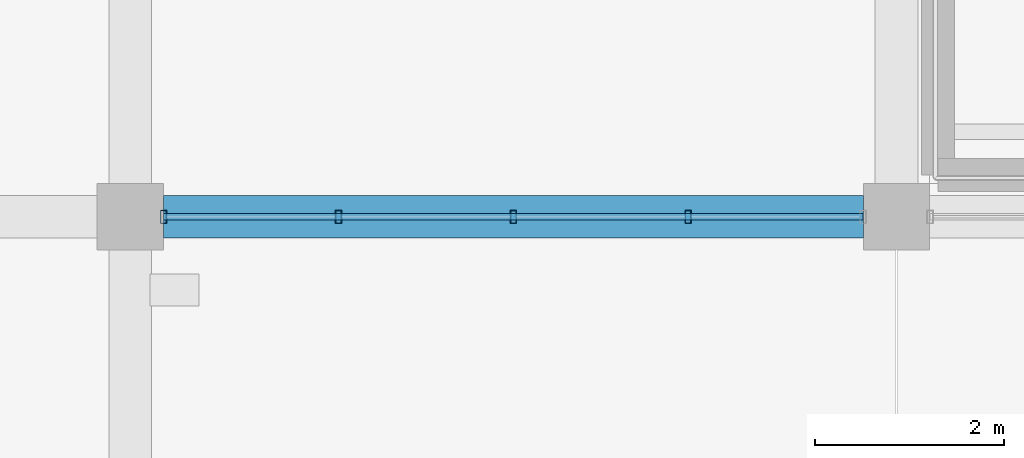
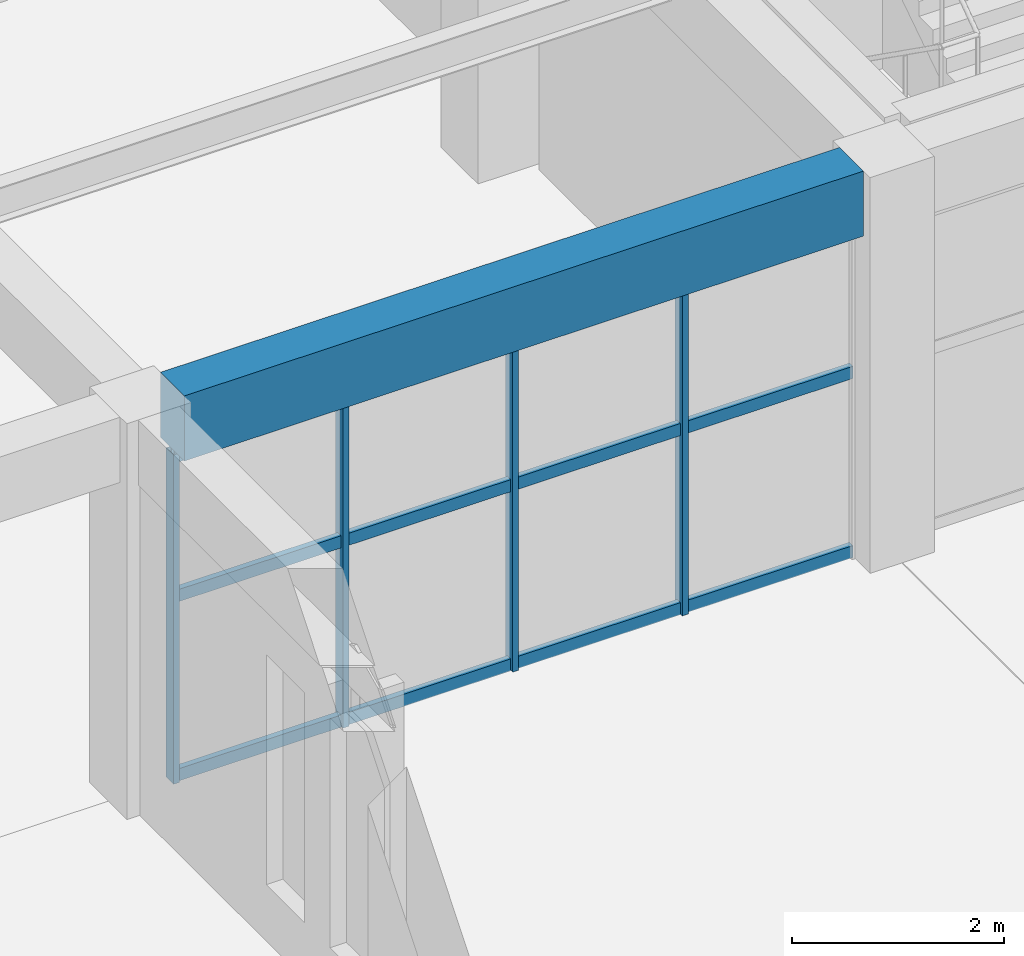
# One storey, part 4 of 161: 7 members, 1 beam, 1 element without a shape of its own.
"""IFC4 building model written with IfcOpenShell, lengths in metres."""

import ifcopenshell
import ifcopenshell.guid

model = None  # the IFC model being written
_history = None  # IfcOwnerHistory: only IFC2X3 demands one
_inside = {}  # id of a spatial element -> (the spatial element, [elements in it])
_under = {}  # id of a project, library or spatial element -> (it, [spatial elements below it])
_declared = {}  # id of a project -> (the project, [libraries it declares])
_typed = {}  # id of a type object -> (the type object, [elements of that type])
_made_of = {}  # id of a material, layer set ... -> (it, [elements and type objects made of it])


def new_model(schema):
    """Start an empty IFC model of exactly this schema.

    Asked for "IFC4X3", IfcOpenShell would pick the latest addendum, in which some entities
    have other attributes; the version numbers below select the first issue.
    IFC2X3 requires an IfcOwnerHistory on every rooted entity: one is made here for all.
    """
    global model, _history
    if schema == "IFC4X3":
        model = ifcopenshell.file(schema_version=(4, 3, 0, 0))
    else:
        model = ifcopenshell.file(schema=schema)
    _inside.clear()
    _under.clear()
    _declared.clear()
    _typed.clear()
    _made_of.clear()
    _history = None
    if model.schema == "IFC2X3":
        org = make("IfcOrganization", Name="unknown")
        user = make(
            "IfcPersonAndOrganization",
            ThePerson=make("IfcPerson", FamilyName="unknown"),
            TheOrganization=org,
        )
        app = make(
            "IfcApplication",
            ApplicationDeveloper=org,
            Version="unknown",
            ApplicationFullName="unknown",
            ApplicationIdentifier="unknown",
        )
        _history = make(
            "IfcOwnerHistory",
            OwningUser=user,
            OwningApplication=app,
            ChangeAction="ADDED",
            CreationDate=0,
        )
    return model


def make(cls, **values):
    """One entity of the class cls with the attributes given. An attribute that is None is left unset."""
    return model.create_entity(
        cls, **{name: value for name, value in values.items() if value is not None}
    )


def rooted(cls, **values):
    """An entity with a GlobalId (a new one), such as an element, a storey or a relation."""
    return make(cls, GlobalId=ifcopenshell.guid.new(), OwnerHistory=_history, **values)


def si_unit(unit_type, name, prefix=None):
    """IfcSIUnit, for example si_unit("LENGTHUNIT", "METRE", prefix="MILLI")."""
    return make("IfcSIUnit", UnitType=unit_type, Prefix=prefix, Name=name)


def assignment(units):
    """IfcUnitAssignment: the units of a project."""
    return None if units is None else make("IfcUnitAssignment", Units=units)


def point(xyz):
    """IfcCartesianPoint."""
    return None if xyz is None else make("IfcCartesianPoint", Coordinates=xyz)


def direction(xyz):
    """IfcDirection."""
    return None if xyz is None else make("IfcDirection", DirectionRatios=xyz)


def frame(location, z_axis=None, x_axis=None):
    """IfcAxis2Placement3D, a coordinate frame: its origin and axes. An axis left out is left unset."""
    return make(
        "IfcAxis2Placement3D",
        Location=point(location),
        Axis=direction(z_axis),
        RefDirection=direction(x_axis),
    )


def frame_2d(location, x_axis=None):
    """IfcAxis2Placement2D, a coordinate frame in the plane: its origin and x axis."""
    return make(
        "IfcAxis2Placement2D", Location=point(location), RefDirection=direction(x_axis)
    )


def origin():
    """The frame at (0, 0, 0) with its axes left unset."""
    return frame((0.0, 0.0, 0.0))


def origin_2d():
    """The frame at (0, 0) in the plane with its x axis left unset."""
    return frame_2d((0.0, 0.0))


def place(relative_to, where):
    """IfcLocalPlacement: puts the frame where relative to a parent placement (None: the world)."""
    return make(
        "IfcLocalPlacement", PlacementRelTo=relative_to, RelativePlacement=where
    )


def context(
    kind, dimensions, precision=None, world=None, true_north=None, identifier=None
):
    """IfcGeometricRepresentationContext, for example the 3D "Model" context."""
    return make(
        "IfcGeometricRepresentationContext",
        ContextIdentifier=identifier,
        ContextType=kind,
        CoordinateSpaceDimension=dimensions,
        Precision=precision,
        WorldCoordinateSystem=world,
        TrueNorth=true_north,
    )


def subcontext(parent, identifier, kind, view, scale=None):
    """IfcGeometricRepresentationSubContext, for example "Body" below "Model"."""
    return make(
        "IfcGeometricRepresentationSubContext",
        ContextIdentifier=identifier,
        ContextType=kind,
        ParentContext=parent,
        TargetScale=scale,
        TargetView=view,
    )


def project(units=None, contexts=None):
    """IfcProject with its units and contexts."""
    return rooted(
        "IfcProject",
        Name="project",
        RepresentationContexts=contexts,
        UnitsInContext=assignment(units),
    )


def spatial(cls, under=None, at=None, **own):
    """A site, building, storey or space (cls), placed at a placement, below another one or the project."""
    s = rooted(cls, ObjectPlacement=at, **own)
    if under is not None:
        _under.setdefault(under.id(), (under, []))[1].append(s)
    return s


def profile(cls, at=None, kind="AREA", **sizes):
    """A parametric profile (cls). Its sizes go by their IFC names, for example OverallWidth=200.0."""
    return make(cls, ProfileType=kind, Position=at, **sizes)


def rectangle(**sizes):
    """IfcRectangleProfileDef."""
    return profile("IfcRectangleProfileDef", **sizes)


def hollow_rectangle(**sizes):
    """IfcRectangleHollowProfileDef."""
    return profile("IfcRectangleHollowProfileDef", **sizes)


def extrude(swept, where, along, depth):
    """IfcExtrudedAreaSolid: the profile swept, set in the frame where, extruded along a direction by depth."""
    return make(
        "IfcExtrudedAreaSolid",
        SweptArea=swept,
        Position=where,
        ExtrudedDirection=direction(along),
        Depth=depth,
    )


def shape(context_of_items, identifier, shape_type, items):
    """IfcShapeRepresentation: the items that make up one representation, for example the "Body"."""
    return make(
        "IfcShapeRepresentation",
        ContextOfItems=context_of_items,
        RepresentationIdentifier=identifier,
        RepresentationType=shape_type,
        Items=items,
    )


def material(Name=None, Category=None):
    """IfcMaterial."""
    return make("IfcMaterial", Name=Name, Category=Category)


def material_profile(
    of_material, cross_section, Name=None, Category=None, Priority=None
):
    """IfcMaterialProfile: a cross section and its material."""
    return make(
        "IfcMaterialProfile",
        Name=Name,
        Material=of_material,
        Profile=cross_section,
        Priority=Priority,
        Category=Category,
    )


def profile_set(profiles, Name=None, composite=None):
    """IfcMaterialProfileSet."""
    return make(
        "IfcMaterialProfileSet",
        Name=Name,
        MaterialProfiles=profiles,
        CompositeProfile=composite,
    )


def made_of(thing, what):
    """Note that an element or type object is made of a material, layer set ...; save() writes the relation."""
    if what is not None:
        _made_of.setdefault(what.id(), (what, []))[1].append(thing)
    return thing


def type_object(cls, material=None, **own):
    """A type object (cls), such as IfcWallType, which elements share."""
    return made_of(rooted(cls, **own), material)


def element(
    cls,
    number,
    at=None,
    inside=None,
    cuts=None,
    type_object=None,
    material=None,
    context=None,
    identifier="Body",
    shape_type=None,
    held_by="IfcProductDefinitionShape",
    body=None,
    shapes=None,
    **own,
):
    """One element of the class cls, such as IfcWall. Its Tag is "e" and its number.

    at: its placement. inside: the storey or other place that contains it. cuts: it is an
    opening in that element (IfcRelVoidsElement). A single representation is given by context,
    identifier, shape_type and body (its items); several are given by shapes. held_by: the class
    of the entity that holds the representations. save() writes the other relations.
    """
    e = rooted(cls, Tag="e%d" % number, ObjectPlacement=at, **own)
    if body is not None:
        shapes = [shape(context, identifier, shape_type, body)]
    if shapes is not None:
        e.Representation = make(held_by, Representations=shapes)
    if inside is not None:
        _inside.setdefault(inside.id(), (inside, []))[1].append(e)
    if cuts is not None:
        rooted(
            "IfcRelVoidsElement", RelatingBuildingElement=cuts, RelatedOpeningElement=e
        )
    if type_object is not None:
        _typed.setdefault(type_object.id(), (type_object, []))[1].append(e)
    return made_of(e, material)


def aggregate(whole, parts):
    """IfcRelAggregates: a whole, such as a stair, and the parts it consists of."""
    return rooted("IfcRelAggregates", RelatingObject=whole, RelatedObjects=parts)


def save(model, path):
    """Write the relations noted so far, then the file.

    IfcRelAggregates (storeys below a building ...), IfcRelContainedInSpatialStructure (elements
    in a storey), IfcRelDefinesByType, IfcRelAssociatesMaterial and IfcRelDeclares: one each for
    every whole, place, type object, material and project.
    """
    for whole, parts in _under.values():
        aggregate(whole, parts)
    for where, things in _inside.values():
        rooted(
            "IfcRelContainedInSpatialStructure",
            RelatedElements=things,
            RelatingStructure=where,
        )
    for kind, things in _typed.values():
        rooted("IfcRelDefinesByType", RelatedObjects=things, RelatingType=kind)
    for what, things in _made_of.values():
        rooted("IfcRelAssociatesMaterial", RelatedObjects=things, RelatingMaterial=what)
    for by, libraries in _declared.values():
        rooted("IfcRelDeclares", RelatingContext=by, RelatedDefinitions=libraries)
    model.write(path)


model = new_model("IFC4")

# Units and contexts
model_context = context("Model", 3, precision=1e-05, world=origin(), true_north=direction((0.0, 1.0)))
body_context = subcontext(model_context, "Body", "Model", "MODEL_VIEW")
ifc_project = project(units=[si_unit("LENGTHUNIT", "METRE"), si_unit("AREAUNIT", "SQUARE_METRE"), si_unit("VOLUMEUNIT", "CUBIC_METRE"), si_unit("PLANEANGLEUNIT", "RADIAN"), si_unit("MASSUNIT", "GRAM", prefix="KILO")], contexts=[model_context])

# Site, building, storey
site_placement = place(None, origin())
site = spatial("IfcSite", under=ifc_project, at=site_placement, CompositionType="ELEMENT")
building_placement = place(site_placement, origin())
building = spatial("IfcBuilding", under=site, at=building_placement, Name="Cimatlan Art Gallery", CompositionType="ELEMENT")
storey_placement = place(building_placement, frame((0.0, 0.0, 5.39990234375)))
storey = spatial("IfcBuildingStorey", under=building, at=storey_placement, Name="L01", CompositionType="ELEMENT", Elevation=5.39990234375)

# Beam
ifc_material_1 = material(Name="Concrete C40/50", Category="concrete")
ifc_material_profile_1 = material_profile(ifc_material_1, rectangle(XDim=0.449951171875, YDim=0.75, at=origin_2d()), Name="RC450X750")
ifc_profile_set_1 = profile_set([ifc_material_profile_1], Name="Concrete C40/50")
beam_type = type_object("IfcBeamType", Name="BM-RC-450X750", PredefinedType="BEAM", material=ifc_profile_set_1)
beam_placement = place(storey_placement, frame((26.64990234375, 23.89990234375, 4.18505859375), z_axis=(1.0, 0.0, 0.0), x_axis=(0.0, 1.0, 0.0)))
element("IfcBeam", 1, at=beam_placement, inside=storey, type_object=beam_type, Name="BM-X-L01-03-03", PredefinedType="BEAM", context=body_context, shape_type="SweptSolid", body=[
    extrude(rectangle(XDim=0.449951171875, YDim=0.75, at=origin_2d()), origin(), (0.0, 0.0, 1.0), 7.400146484375),
])

# Curtain wall, members
ifc_material_2 = material(Name="Anodised bronze unitised curtain wall")
curtain_wall_type = type_object("IfcCurtainWallType", Name="CW-V-07392X03795-B4", PredefinedType="NOTDEFINED", material=ifc_material_2)
curtain_wall_placement = place(storey_placement, origin())
curtain_wall = element("IfcCurtainWall", 2, at=curtain_wall_placement, inside=storey, type_object=curtain_wall_type, Name="CW-L01-03-03-S", PredefinedType="NOTDEFINED")
ifc_material_3 = material(Name="Anodised bronze aluminium 6063-T6", Category="aluminium")
ifc_material_profile_2 = material_profile(ifc_material_3, hollow_rectangle(XDim=0.06494140625, YDim=0.139892578125, WallThickness=0.00390625, at=origin_2d()), Name="ALU65X140X4")
ifc_profile_set_2 = profile_set([ifc_material_profile_2], Name="Anodised bronze aluminium 6063-T6")
member_type_1 = type_object("IfcMemberType", Name="CW-MUL-140", PredefinedType="MULLION", material=ifc_profile_set_2)
member_1_placement = place(storey_placement, frame((32.197998046875, 23.89990234375, 0.0), z_axis=(0.0, 0.0, 1.0), x_axis=(1.0, 0.0, 0.0)))
member_1 = element("IfcMember", 3, at=member_1_placement, type_object=member_type_1, Name="CW-L01-03-03-S-M2", PredefinedType="MULLION", context=body_context, shape_type="SweptSolid", body=[
    extrude(hollow_rectangle(XDim=0.06494140625, YDim=0.139892578125, WallThickness=0.00390625, at=origin_2d()), origin(), (0.0, 0.0, 1.0), 3.795166015625),
])
member_2_placement = place(storey_placement, frame((30.35009765625, 23.89990234375, 0.0), z_axis=(0.0, 0.0, 1.0), x_axis=(1.0, 0.0, 0.0)))
member_2 = element("IfcMember", 4, at=member_2_placement, type_object=member_type_1, Name="CW-L01-03-03-S-M3", PredefinedType="MULLION", context=body_context, shape_type="SweptSolid", body=[
    extrude(hollow_rectangle(XDim=0.06494140625, YDim=0.139892578125, WallThickness=0.00390625, at=origin_2d()), origin(), (0.0, 0.0, 1.0), 3.795166015625),
])
member_3_placement = place(storey_placement, frame((28.501953125, 23.89990234375, 0.0), z_axis=(0.0, 0.0, 1.0), x_axis=(1.0, 0.0, 0.0)))
member_3 = element("IfcMember", 5, at=member_3_placement, type_object=member_type_1, Name="CW-L01-03-03-S-M4", PredefinedType="MULLION", context=body_context, shape_type="SweptSolid", body=[
    extrude(hollow_rectangle(XDim=0.06494140625, YDim=0.139892578125, WallThickness=0.00390625, at=origin_2d()), origin(), (0.0, 0.0, 1.0), 3.795166015625),
])
member_4_placement = place(storey_placement, frame((26.654052734375, 23.89990234375, 0.0), z_axis=(0.0, 0.0, 1.0), x_axis=(1.0, 0.0, 0.0)))
member_4 = element("IfcMember", 6, at=member_4_placement, type_object=member_type_1, Name="CW-L01-03-03-S-M5", PredefinedType="MULLION", context=body_context, shape_type="SweptSolid", body=[
    extrude(hollow_rectangle(XDim=0.06494140625, YDim=0.139892578125, WallThickness=0.00390625, at=origin_2d()), origin(), (0.0, 0.0, 1.0), 3.795166015625),
])
ifc_material_profile_3 = material_profile(ifc_material_3, hollow_rectangle(XDim=0.06494140625, YDim=0.139892578125, WallThickness=0.00390625, at=origin_2d()), Name="ALU65X140X4")
ifc_profile_set_3 = profile_set([ifc_material_profile_3], Name="Anodised bronze aluminium 6063-T6")
member_type_2 = type_object("IfcMemberType", Name="CW-TRN-140", PredefinedType="USERDEFINED", material=ifc_profile_set_3)
member_5_placement = place(storey_placement, frame((34.0458984375, 23.89990234375, 0.06005859375), z_axis=(-1.0, 0.0, 0.0), x_axis=(0.0, -1.0, 0.0)))
member_5 = element("IfcMember", 7, at=member_5_placement, type_object=member_type_2, Name="CW-L01-03-03-S-T1", ObjectType="TRANSOM", PredefinedType="USERDEFINED", context=body_context, shape_type="SweptSolid", body=[
    extrude(hollow_rectangle(XDim=0.06494140625, YDim=0.139892578125, WallThickness=0.00390625, at=origin_2d()), origin(), (0.0, 0.0, 1.0), 7.391845703125),
])
member_6_placement = place(storey_placement, frame((34.0458984375, 23.89990234375, 2.125244140625), z_axis=(-1.0, 0.0, 0.0), x_axis=(0.0, -1.0, 0.0)))
member_6 = element("IfcMember", 8, at=member_6_placement, type_object=member_type_2, Name="CW-L01-03-03-S-T2", ObjectType="TRANSOM", PredefinedType="USERDEFINED", context=body_context, shape_type="SweptSolid", body=[
    extrude(hollow_rectangle(XDim=0.06494140625, YDim=0.139892578125, WallThickness=0.00390625, at=origin_2d()), origin(), (0.0, 0.0, 1.0), 7.391845703125),
])
member_7_placement = place(storey_placement, frame((34.0458984375, 23.89990234375, 3.735107421875), z_axis=(-1.0, 0.0, 0.0), x_axis=(0.0, -1.0, 0.0)))
member_7 = element("IfcMember", 9, at=member_7_placement, type_object=member_type_2, Name="CW-L01-03-03-S-T3", ObjectType="TRANSOM", PredefinedType="USERDEFINED", context=body_context, shape_type="SweptSolid", body=[
    extrude(hollow_rectangle(XDim=0.06494140625, YDim=0.139892578125, WallThickness=0.00390625, at=origin_2d()), origin(), (0.0, 0.0, 1.0), 7.391845703125),
])
aggregate(curtain_wall, [member_1, member_2, member_3, member_4, member_5, member_6, member_7])

save(model, "model.ifc")
